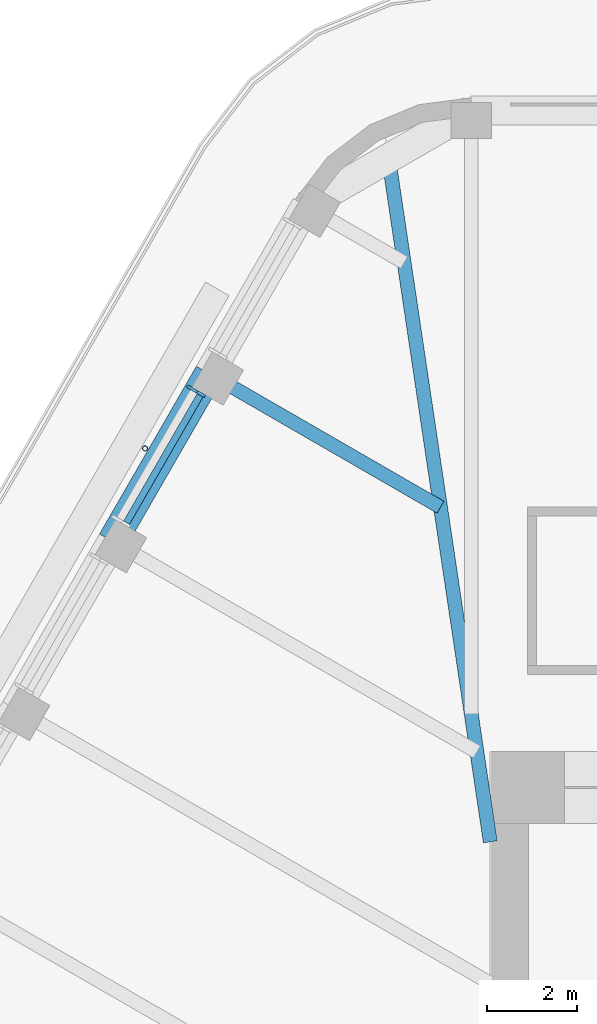
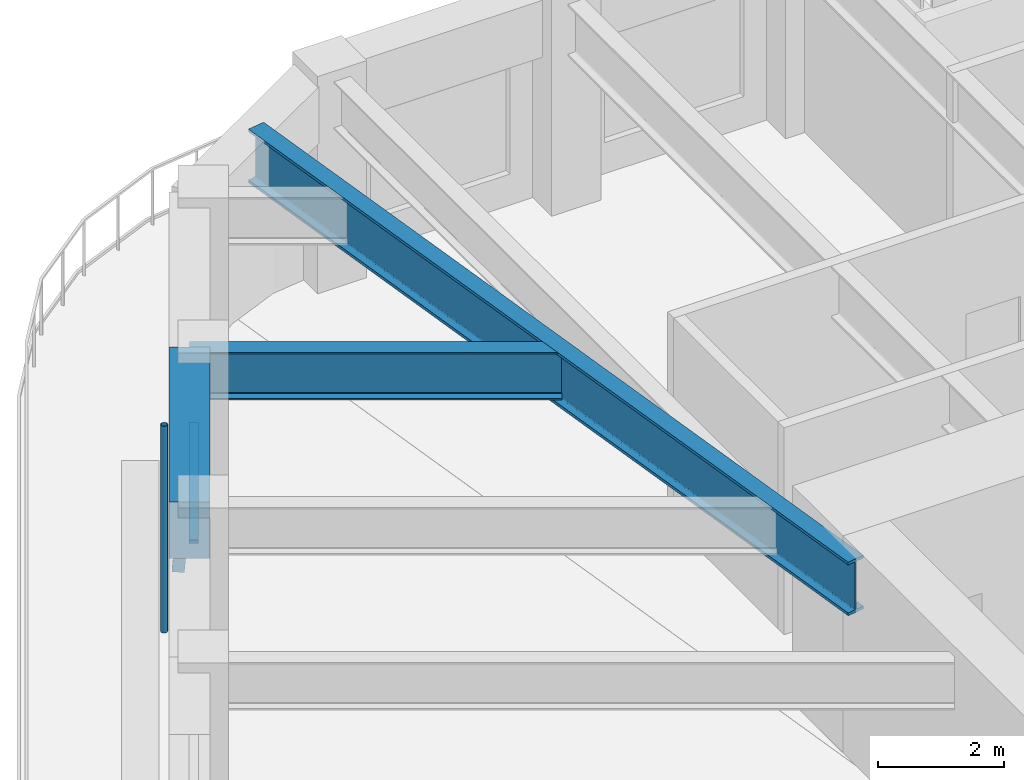
# One storey, part 8 of 19: 3 beams, 3 members, 1 element without a shape of its own.
"""IFC4 building model written with IfcOpenShell, lengths in metres."""

from ifc_helpers import new_model, si_unit, direction, frame, origin, origin_2d, place, context, subcontext, project, spatial, rectangle, hollow_circle, i_section, extrude, material, material_profile, profile_set, type_object, element, aggregate, save


model = new_model("IFC4")

# Units and contexts
model_context = context("Model", 3, precision=1e-05, world=origin(), true_north=direction((0.0, 1.0)))
body_context = subcontext(model_context, "Body", "Model", "MODEL_VIEW")
ifc_project = project(units=[si_unit("LENGTHUNIT", "METRE"), si_unit("AREAUNIT", "SQUARE_METRE"), si_unit("VOLUMEUNIT", "CUBIC_METRE"), si_unit("PLANEANGLEUNIT", "RADIAN"), si_unit("MASSUNIT", "GRAM", prefix="KILO")], contexts=[model_context])

# Site, building, storey
site_placement = place(None, origin())
site = spatial("IfcSite", under=ifc_project, at=site_placement, CompositionType="ELEMENT")
building_placement = place(site_placement, origin())
building = spatial("IfcBuilding", under=site, at=building_placement, Name="Tarfa Lantern Tower", CompositionType="ELEMENT")
storey_placement = place(building_placement, frame((0.0, 0.0, 353.5)))
storey = spatial("IfcBuildingStorey", under=building, at=storey_placement, Name="L80", CompositionType="ELEMENT", Elevation=353.5)

# Curtain wall, members
ifc_material_1 = material(Name="Aluminium framed curtain wall", Category="aluminium")
curtain_wall_type = type_object("IfcCurtainWallType", Name="CW4 CANTED GLAZING EXECUTIVE ZONE 2900", PredefinedType="USERDEFINED", material=ifc_material_1)
curtain_wall_placement = place(storey_placement, origin())
curtain_wall = element("IfcCurtainWall", 1, at=curtain_wall_placement, inside=storey, type_object=curtain_wall_type, Name="CW4 NW L80", ObjectType="CURTAIN WALL", PredefinedType="USERDEFINED")
ifc_material_2 = material(Name="Aluminium mullion", Category="aluminium")
ifc_material_profile_1 = material_profile(ifc_material_2, rectangle(XDim=0.06494140625, YDim=0.199951171875, at=origin_2d()), Name="AL MULLION 65x200")
ifc_profile_set_1 = profile_set([ifc_material_profile_1], Name="Aluminium mullion")
member_type_1 = type_object("IfcMemberType", Name="CWM1 MULLION 65x200", PredefinedType="MULLION", material=ifc_profile_set_1)
member_1_placement = place(storey_placement, frame((-19.038818359375, 20.32373046875, 0.0), z_axis=(0.074399820079, -0.042945555672, 0.996303340364), x_axis=(0.499919672301, 0.866071776036, 0.0)))
member_1 = element("IfcMember", 2, at=member_1_placement, type_object=member_type_1, Name="CW4 mullion 1", PredefinedType="MULLION", context=body_context, shape_type="SweptSolid", body=[
    extrude(rectangle(XDim=0.06494140625, YDim=0.199951171875, at=origin_2d()), origin(), (0.0, 0.0, 1.0), 2.91064453125),
])
ifc_material_3 = material(Name="Aluminium transom", Category="aluminium")
ifc_material_profile_2 = material_profile(ifc_material_3, rectangle(XDim=0.14990234375, YDim=0.06494140625, at=origin_2d()), Name="AL TRANSOM 150x65")
ifc_profile_set_2 = profile_set([ifc_material_profile_2], Name="Aluminium transom")
member_type_2 = type_object("IfcMemberType", Name="CWT1 TRANSOM 150x65", PredefinedType="USERDEFINED", material=ifc_profile_set_2)
member_2_placement = place(storey_placement, frame((-18.841064453125, 20.172119140625, 2.867431640625), z_axis=(-0.499982393232, -0.866035568818, 0.0), x_axis=(0.866035568818, -0.499982393232, 0.0)))
member_2 = element("IfcMember", 3, at=member_2_placement, type_object=member_type_2, Name="CW4 transom 1.2", ObjectType="TRANSOM", PredefinedType="USERDEFINED", context=body_context, shape_type="SweptSolid", body=[
    extrude(rectangle(XDim=0.14990234375, YDim=0.06494140625, at=origin_2d()), origin(), (0.0, 0.0, 1.0), 3.251953125),
])
aggregate(curtain_wall, [member_1, member_2])

# Beam
ifc_material_4 = material(Name="Concrete C80/95", Category="concrete")
ifc_material_profile_3 = material_profile(ifc_material_4, rectangle(XDim=0.64990234375, YDim=1.10009765625, at=origin_2d()), Name="RC 650x1100")
ifc_profile_set_3 = profile_set([ifc_material_profile_3], Name="Concrete C80/95")
beam_type_1 = type_object("IfcBeamType", Name="EB4 RC 650x1100", PredefinedType="SPANDREL", material=ifc_profile_set_3)
beam_1_placement = place(storey_placement, frame((-18.6416015625, 20.651611328125, 3.449951171875), z_axis=(-0.500026801138, -0.866009929587, 0.0), x_axis=(0.866009929587, -0.500026801138, 0.0)))
element("IfcBeam", 4, at=beam_1_placement, inside=storey, type_object=beam_type_1, Name="Edge beam NW1", PredefinedType="SPANDREL", context=body_context, shape_type="SweptSolid", body=[
    extrude(rectangle(XDim=0.64990234375, YDim=1.10009765625, at=origin_2d()), origin(), (0.0, 0.0, 1.0), 4.281982421875),
])

# Member
ifc_material_5 = material(Name="Steel S355", Category="steel")
ifc_material_profile_4 = material_profile(ifc_material_5, hollow_circle(Radius=0.05712890625, WallThickness=0.00634765625, at=origin_2d()), Name="CHS114.3x6.3")
ifc_profile_set_4 = profile_set([ifc_material_profile_4], Name="Steel S355")
member_type_3 = type_object("IfcMemberType", Name="TR1 GREEN WALL TRELLIS CHS114.3x6.3", PredefinedType="USERDEFINED", material=ifc_profile_set_4)
member_3_placement = place(storey_placement, frame((-20.05859375, 18.99755859375, 0.0), z_axis=(0.0, 0.0, 1.0), x_axis=(1.0, 0.0, 0.0)))
element("IfcMember", 5, at=member_3_placement, inside=storey, type_object=member_type_3, Name="Trellis post NW 1", ObjectType="TRELLIS", PredefinedType="USERDEFINED", context=body_context, shape_type="SweptSolid", body=[
    extrude(hollow_circle(Radius=0.05712890625, WallThickness=0.00634765625, at=origin_2d()), origin(), (0.0, 0.0, 1.0), 4.0),
])

# Beams
ifc_material_6 = material(Name="Steel S460M", Category="steel")
ifc_material_profile_5 = material_profile(ifc_material_6, i_section(OverallWidth=0.30859375, OverallDepth=1.036376953125, WebThickness=0.030029296875, FlangeThickness=0.05419921875, FilletRadius=0.030029296875, at=origin_2d()), Name="UB1016x305x487")
ifc_profile_set_5 = profile_set([ifc_material_profile_5], Name="Steel S460M")
beam_type_2 = type_object("IfcBeamType", Name="UB1016x305x487", PredefinedType="BEAM", material=ifc_profile_set_5)
beam_2_placement = place(storey_placement, frame((-12.425048828125, 10.300048828125, 3.48193359375), z_axis=(-0.147127069073, 0.989117599452, 0.0), x_axis=(-0.989117599452, -0.147127069073, 0.0)))
element("IfcBeam", 6, at=beam_2_placement, inside=storey, type_object=beam_type_2, Name="Hip girder NW", PredefinedType="BEAM", context=body_context, shape_type="SweptSolid", body=[
    extrude(i_section(OverallWidth=0.30859375, OverallDepth=1.036376953125, WebThickness=0.030029296875, FlangeThickness=0.05419921875, FilletRadius=0.030029296875, at=origin_2d()), origin(), (0.0, 0.0, 1.0), 15.28125),
])
ifc_material_profile_6 = material_profile(ifc_material_6, i_section(OverallWidth=0.305419921875, OverallDepth=0.91845703125, WebThickness=0.017333984375, FlangeThickness=0.02783203125, FilletRadius=0.01904296875, at=origin_2d()), Name="UB914x305x253")
ifc_profile_set_6 = profile_set([ifc_material_profile_6], Name="Steel S460M")
beam_type_3 = type_object("IfcBeamType", Name="UB914x305x253", PredefinedType="BEAM", material=ifc_profile_set_6)
beam_3_placement = place(storey_placement, frame((-18.6416015625, 20.651611328125, 3.540771484375), z_axis=(0.866024549157, -0.500001480256, 0.0), x_axis=(0.500001480256, 0.866024549157, 0.0)))
element("IfcBeam", 7, at=beam_3_placement, inside=storey, type_object=beam_type_3, Name="Floor beam NW1", PredefinedType="BEAM", context=body_context, shape_type="SweptSolid", body=[
    extrude(i_section(OverallWidth=0.305419921875, OverallDepth=0.91845703125, WebThickness=0.017333984375, FlangeThickness=0.02783203125, FilletRadius=0.01904296875, at=origin_2d()), origin(), (0.0, 0.0, 1.0), 5.90771484375),
])

save(model, "model.ifc")
